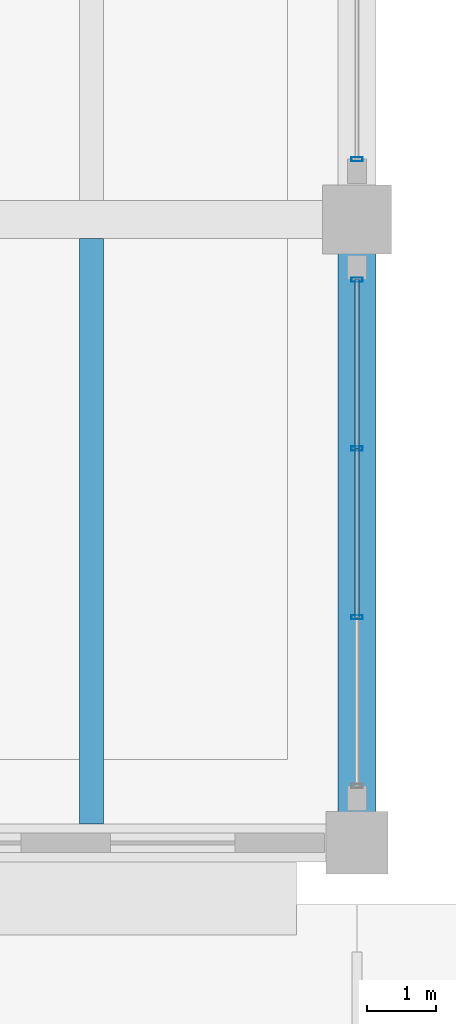
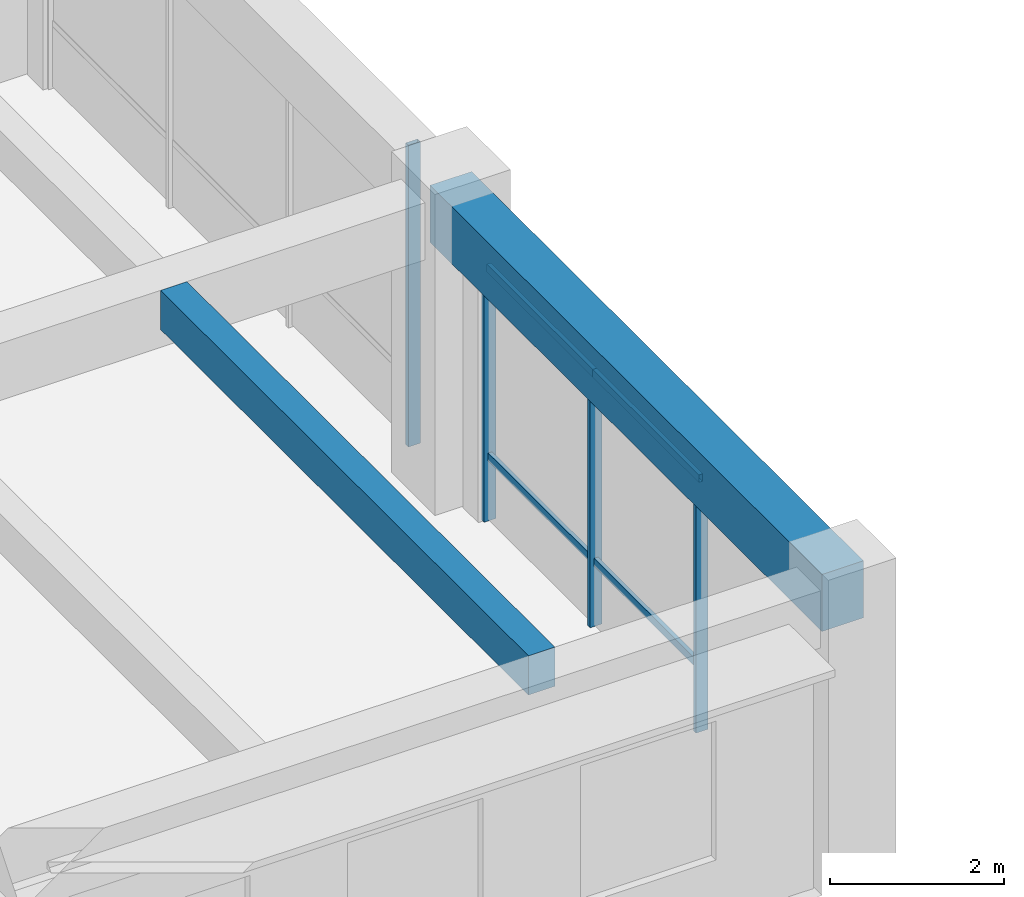
# One storey, part 79 of 154: 8 members, 2 beams, 2 elements without a shape of their own.
"""IFC4 building model written with IfcOpenShell, lengths in metres."""

import ifcopenshell
import ifcopenshell.guid

model = None  # the IFC model being written
_history = None  # IfcOwnerHistory: only IFC2X3 demands one
_inside = {}  # id of a spatial element -> (the spatial element, [elements in it])
_under = {}  # id of a project, library or spatial element -> (it, [spatial elements below it])
_declared = {}  # id of a project -> (the project, [libraries it declares])
_typed = {}  # id of a type object -> (the type object, [elements of that type])
_made_of = {}  # id of a material, layer set ... -> (it, [elements and type objects made of it])


def new_model(schema):
    """Start an empty IFC model of exactly this schema.

    Asked for "IFC4X3", IfcOpenShell would pick the latest addendum, in which some entities
    have other attributes; the version numbers below select the first issue.
    IFC2X3 requires an IfcOwnerHistory on every rooted entity: one is made here for all.
    """
    global model, _history
    if schema == "IFC4X3":
        model = ifcopenshell.file(schema_version=(4, 3, 0, 0))
    else:
        model = ifcopenshell.file(schema=schema)
    _inside.clear()
    _under.clear()
    _declared.clear()
    _typed.clear()
    _made_of.clear()
    _history = None
    if model.schema == "IFC2X3":
        org = make("IfcOrganization", Name="unknown")
        user = make(
            "IfcPersonAndOrganization",
            ThePerson=make("IfcPerson", FamilyName="unknown"),
            TheOrganization=org,
        )
        app = make(
            "IfcApplication",
            ApplicationDeveloper=org,
            Version="unknown",
            ApplicationFullName="unknown",
            ApplicationIdentifier="unknown",
        )
        _history = make(
            "IfcOwnerHistory",
            OwningUser=user,
            OwningApplication=app,
            ChangeAction="ADDED",
            CreationDate=0,
        )
    return model


def make(cls, **values):
    """One entity of the class cls with the attributes given. An attribute that is None is left unset."""
    return model.create_entity(
        cls, **{name: value for name, value in values.items() if value is not None}
    )


def rooted(cls, **values):
    """An entity with a GlobalId (a new one), such as an element, a storey or a relation."""
    return make(cls, GlobalId=ifcopenshell.guid.new(), OwnerHistory=_history, **values)


def si_unit(unit_type, name, prefix=None):
    """IfcSIUnit, for example si_unit("LENGTHUNIT", "METRE", prefix="MILLI")."""
    return make("IfcSIUnit", UnitType=unit_type, Prefix=prefix, Name=name)


def assignment(units):
    """IfcUnitAssignment: the units of a project."""
    return None if units is None else make("IfcUnitAssignment", Units=units)


def point(xyz):
    """IfcCartesianPoint."""
    return None if xyz is None else make("IfcCartesianPoint", Coordinates=xyz)


def direction(xyz):
    """IfcDirection."""
    return None if xyz is None else make("IfcDirection", DirectionRatios=xyz)


def frame(location, z_axis=None, x_axis=None):
    """IfcAxis2Placement3D, a coordinate frame: its origin and axes. An axis left out is left unset."""
    return make(
        "IfcAxis2Placement3D",
        Location=point(location),
        Axis=direction(z_axis),
        RefDirection=direction(x_axis),
    )


def frame_2d(location, x_axis=None):
    """IfcAxis2Placement2D, a coordinate frame in the plane: its origin and x axis."""
    return make(
        "IfcAxis2Placement2D", Location=point(location), RefDirection=direction(x_axis)
    )


def origin():
    """The frame at (0, 0, 0) with its axes left unset."""
    return frame((0.0, 0.0, 0.0))


def origin_2d():
    """The frame at (0, 0) in the plane with its x axis left unset."""
    return frame_2d((0.0, 0.0))


def place(relative_to, where):
    """IfcLocalPlacement: puts the frame where relative to a parent placement (None: the world)."""
    return make(
        "IfcLocalPlacement", PlacementRelTo=relative_to, RelativePlacement=where
    )


def context(
    kind, dimensions, precision=None, world=None, true_north=None, identifier=None
):
    """IfcGeometricRepresentationContext, for example the 3D "Model" context."""
    return make(
        "IfcGeometricRepresentationContext",
        ContextIdentifier=identifier,
        ContextType=kind,
        CoordinateSpaceDimension=dimensions,
        Precision=precision,
        WorldCoordinateSystem=world,
        TrueNorth=true_north,
    )


def subcontext(parent, identifier, kind, view, scale=None):
    """IfcGeometricRepresentationSubContext, for example "Body" below "Model"."""
    return make(
        "IfcGeometricRepresentationSubContext",
        ContextIdentifier=identifier,
        ContextType=kind,
        ParentContext=parent,
        TargetScale=scale,
        TargetView=view,
    )


def project(units=None, contexts=None):
    """IfcProject with its units and contexts."""
    return rooted(
        "IfcProject",
        Name="project",
        RepresentationContexts=contexts,
        UnitsInContext=assignment(units),
    )


def spatial(cls, under=None, at=None, **own):
    """A site, building, storey or space (cls), placed at a placement, below another one or the project."""
    s = rooted(cls, ObjectPlacement=at, **own)
    if under is not None:
        _under.setdefault(under.id(), (under, []))[1].append(s)
    return s


def profile(cls, at=None, kind="AREA", **sizes):
    """A parametric profile (cls). Its sizes go by their IFC names, for example OverallWidth=200.0."""
    return make(cls, ProfileType=kind, Position=at, **sizes)


def rectangle(**sizes):
    """IfcRectangleProfileDef."""
    return profile("IfcRectangleProfileDef", **sizes)


def hollow_rectangle(**sizes):
    """IfcRectangleHollowProfileDef."""
    return profile("IfcRectangleHollowProfileDef", **sizes)


def extrude(swept, where, along, depth):
    """IfcExtrudedAreaSolid: the profile swept, set in the frame where, extruded along a direction by depth."""
    return make(
        "IfcExtrudedAreaSolid",
        SweptArea=swept,
        Position=where,
        ExtrudedDirection=direction(along),
        Depth=depth,
    )


def shape(context_of_items, identifier, shape_type, items):
    """IfcShapeRepresentation: the items that make up one representation, for example the "Body"."""
    return make(
        "IfcShapeRepresentation",
        ContextOfItems=context_of_items,
        RepresentationIdentifier=identifier,
        RepresentationType=shape_type,
        Items=items,
    )


def material(Name=None, Category=None):
    """IfcMaterial."""
    return make("IfcMaterial", Name=Name, Category=Category)


def material_profile(
    of_material, cross_section, Name=None, Category=None, Priority=None
):
    """IfcMaterialProfile: a cross section and its material."""
    return make(
        "IfcMaterialProfile",
        Name=Name,
        Material=of_material,
        Profile=cross_section,
        Priority=Priority,
        Category=Category,
    )


def profile_set(profiles, Name=None, composite=None):
    """IfcMaterialProfileSet."""
    return make(
        "IfcMaterialProfileSet",
        Name=Name,
        MaterialProfiles=profiles,
        CompositeProfile=composite,
    )


def made_of(thing, what):
    """Note that an element or type object is made of a material, layer set ...; save() writes the relation."""
    if what is not None:
        _made_of.setdefault(what.id(), (what, []))[1].append(thing)
    return thing


def type_object(cls, material=None, **own):
    """A type object (cls), such as IfcWallType, which elements share."""
    return made_of(rooted(cls, **own), material)


def element(
    cls,
    number,
    at=None,
    inside=None,
    cuts=None,
    type_object=None,
    material=None,
    context=None,
    identifier="Body",
    shape_type=None,
    held_by="IfcProductDefinitionShape",
    body=None,
    shapes=None,
    **own,
):
    """One element of the class cls, such as IfcWall. Its Tag is "e" and its number.

    at: its placement. inside: the storey or other place that contains it. cuts: it is an
    opening in that element (IfcRelVoidsElement). A single representation is given by context,
    identifier, shape_type and body (its items); several are given by shapes. held_by: the class
    of the entity that holds the representations. save() writes the other relations.
    """
    e = rooted(cls, Tag="e%d" % number, ObjectPlacement=at, **own)
    if body is not None:
        shapes = [shape(context, identifier, shape_type, body)]
    if shapes is not None:
        e.Representation = make(held_by, Representations=shapes)
    if inside is not None:
        _inside.setdefault(inside.id(), (inside, []))[1].append(e)
    if cuts is not None:
        rooted(
            "IfcRelVoidsElement", RelatingBuildingElement=cuts, RelatedOpeningElement=e
        )
    if type_object is not None:
        _typed.setdefault(type_object.id(), (type_object, []))[1].append(e)
    return made_of(e, material)


def aggregate(whole, parts):
    """IfcRelAggregates: a whole, such as a stair, and the parts it consists of."""
    return rooted("IfcRelAggregates", RelatingObject=whole, RelatedObjects=parts)


def save(model, path):
    """Write the relations noted so far, then the file.

    IfcRelAggregates (storeys below a building ...), IfcRelContainedInSpatialStructure (elements
    in a storey), IfcRelDefinesByType, IfcRelAssociatesMaterial and IfcRelDeclares: one each for
    every whole, place, type object, material and project.
    """
    for whole, parts in _under.values():
        aggregate(whole, parts)
    for where, things in _inside.values():
        rooted(
            "IfcRelContainedInSpatialStructure",
            RelatedElements=things,
            RelatingStructure=where,
        )
    for kind, things in _typed.values():
        rooted("IfcRelDefinesByType", RelatedObjects=things, RelatingType=kind)
    for what, things in _made_of.values():
        rooted("IfcRelAssociatesMaterial", RelatedObjects=things, RelatingMaterial=what)
    for by, libraries in _declared.values():
        rooted("IfcRelDeclares", RelatingContext=by, RelatedDefinitions=libraries)
    model.write(path)


model = new_model("IFC4")

# Units and contexts
model_context = context("Model", 3, precision=1e-05, world=origin(), true_north=direction((0.0, 1.0)))
body_context = subcontext(model_context, "Body", "Model", "MODEL_VIEW")
ifc_project = project(units=[si_unit("LENGTHUNIT", "METRE"), si_unit("AREAUNIT", "SQUARE_METRE"), si_unit("VOLUMEUNIT", "CUBIC_METRE"), si_unit("PLANEANGLEUNIT", "RADIAN"), si_unit("MASSUNIT", "GRAM", prefix="KILO")], contexts=[model_context])

# Site, building, storey
site_placement = place(None, origin())
site = spatial("IfcSite", under=ifc_project, at=site_placement, CompositionType="ELEMENT")
building_placement = place(site_placement, origin())
building = spatial("IfcBuilding", under=site, at=building_placement, Name="Ologun Quay Terminus", CompositionType="ELEMENT")
storey_placement = place(building_placement, frame((0.0, 0.0, 13.800048828125)))
storey = spatial("IfcBuildingStorey", under=building, at=storey_placement, Name="L03", CompositionType="ELEMENT", Elevation=13.800048828125)

# Curtain wall, members
ifc_material_1 = material(Name="Aluminium 6063-T6", Category="aluminium")
curtain_wall_type = type_object("IfcCurtainWallType", Name="Rain-Garden West Courtyard Curtain Wall L03 8200x4150", PredefinedType="USERDEFINED", material=ifc_material_1)
curtain_wall_1_placement = place(storey_placement, origin())
curtain_wall_1 = element("IfcCurtainWall", 1, at=curtain_wall_1_placement, inside=storey, type_object=curtain_wall_type, Name="CW-16 Curtain Wall CW-L03-111", ObjectType="UNITISED CURTAIN WALL", PredefinedType="USERDEFINED")
ifc_material_2 = material(Name="Aluminium 6063-T6", Category="aluminium")
ifc_material_profile_1 = material_profile(ifc_material_2, hollow_rectangle(XDim=0.06005859375, YDim=0.159912109375, WallThickness=0.00390625, at=origin_2d()), Name="ALU 160x60x4")
ifc_profile_set_1 = profile_set([ifc_material_profile_1], Name="Aluminium 6063-T6")
member_type_1 = type_object("IfcMemberType", Name="Courtyard Screen Mullion 160x65", PredefinedType="MULLION", material=ifc_profile_set_1)
member_1_placement = place(storey_placement, frame((69.0, 89.056640625, 0.0), z_axis=(0.0, 0.0, 1.0), x_axis=(0.0, 1.0, 0.0)))
member_1 = element("IfcMember", 2, at=member_1_placement, type_object=member_type_1, Name="CW-L03-111 Mullion 2", PredefinedType="MULLION", context=body_context, shape_type="SweptSolid", body=[
    extrude(hollow_rectangle(XDim=0.06005859375, YDim=0.159912109375, WallThickness=0.00390625, at=origin_2d()), origin(), (0.0, 0.0, 1.0), 4.22998046875),
])
member_2_placement = place(storey_placement, frame((69.0, 91.493408203125, 0.0), z_axis=(0.0, 0.0, 1.0), x_axis=(0.0, 1.0, 0.0)))
member_2 = element("IfcMember", 3, at=member_2_placement, type_object=member_type_1, Name="CW-L03-111 Mullion 3", PredefinedType="MULLION", context=body_context, shape_type="SweptSolid", body=[
    extrude(hollow_rectangle(XDim=0.06005859375, YDim=0.159912109375, WallThickness=0.00390625, at=origin_2d()), origin(), (0.0, 0.0, 1.0), 4.22998046875),
])
member_3_placement = place(storey_placement, frame((69.0, 93.929931640625, 0.0), z_axis=(0.0, 0.0, 1.0), x_axis=(0.0, 1.0, 0.0)))
member_3 = element("IfcMember", 4, at=member_3_placement, type_object=member_type_1, Name="CW-L03-111 Mullion 4", PredefinedType="MULLION", context=body_context, shape_type="SweptSolid", body=[
    extrude(hollow_rectangle(XDim=0.06005859375, YDim=0.159912109375, WallThickness=0.00390625, at=origin_2d()), origin(), (0.0, 0.0, 1.0), 4.22998046875),
])

# Curtain wall, member
curtain_wall_2_placement = place(storey_placement, origin())
curtain_wall_2 = element("IfcCurtainWall", 5, at=curtain_wall_2_placement, inside=storey, type_object=curtain_wall_type, Name="CW-16 Curtain Wall CW-L03-112", ObjectType="UNITISED CURTAIN WALL", PredefinedType="USERDEFINED")
member_4_placement = place(storey_placement, frame((69.0, 95.669921875, 0.0), z_axis=(0.0, 0.0, 1.0), x_axis=(0.0, 1.0, 0.0)))
member_4 = element("IfcMember", 6, at=member_4_placement, type_object=member_type_1, Name="CW-L03-112 Mullion 1", PredefinedType="MULLION", context=body_context, shape_type="SweptSolid", body=[
    extrude(hollow_rectangle(XDim=0.06005859375, YDim=0.159912109375, WallThickness=0.00390625, at=origin_2d()), origin(), (0.0, 0.0, 1.0), 4.22998046875),
])
aggregate(curtain_wall_2, [member_4])

# Member
ifc_material_3 = material(Name="Aluminium 6063-T6", Category="aluminium")
ifc_material_profile_2 = material_profile(ifc_material_3, hollow_rectangle(XDim=0.054931640625, YDim=0.110107421875, WallThickness=0.00390625, at=origin_2d()), Name="ALU 110x55x4")
ifc_profile_set_2 = profile_set([ifc_material_profile_2], Name="Aluminium 6063-T6")
member_type_2 = type_object("IfcMemberType", Name="Courtyard Screen Transom 110x55", PredefinedType="USERDEFINED", material=ifc_profile_set_2)
member_5_placement = place(storey_placement, frame((69.0, 89.056640625, 0.89990234375), z_axis=(0.0, 1.0, 0.0), x_axis=(-1.0, 0.0, 0.0)))
member_5 = element("IfcMember", 7, at=member_5_placement, type_object=member_type_2, Name="CW-L03-111 Transom B2-1", ObjectType="TRANSOM", PredefinedType="USERDEFINED", context=body_context, shape_type="SweptSolid", body=[
    extrude(hollow_rectangle(XDim=0.054931640625, YDim=0.110107421875, WallThickness=0.00390625, at=origin_2d()), origin(), (0.0, 0.0, 1.0), 2.436767578125),
])

member_6_placement = place(storey_placement, frame((69.0, 89.056640625, 3.530029296875), z_axis=(0.0, 1.0, 0.0), x_axis=(-1.0, 0.0, 0.0)))
member_6 = element("IfcMember", 8, at=member_6_placement, type_object=member_type_2, Name="CW-L03-111 Transom B2-2", ObjectType="TRANSOM", PredefinedType="USERDEFINED", context=body_context, shape_type="SweptSolid", body=[
    extrude(hollow_rectangle(XDim=0.054931640625, YDim=0.110107421875, WallThickness=0.00390625, at=origin_2d()), origin(), (0.0, 0.0, 1.0), 2.436767578125),
])

member_7_placement = place(storey_placement, frame((69.0, 91.493408203125, 0.89990234375), z_axis=(0.0, 1.0, 0.0), x_axis=(-1.0, 0.0, 0.0)))
member_7 = element("IfcMember", 9, at=member_7_placement, type_object=member_type_2, Name="CW-L03-111 Transom B3-1", ObjectType="TRANSOM", PredefinedType="USERDEFINED", context=body_context, shape_type="SweptSolid", body=[
    extrude(hollow_rectangle(XDim=0.054931640625, YDim=0.110107421875, WallThickness=0.00390625, at=origin_2d()), origin(), (0.0, 0.0, 1.0), 2.4365234375),
])

member_8_placement = place(storey_placement, frame((69.0, 91.493408203125, 3.530029296875), z_axis=(0.0, 1.0, 0.0), x_axis=(-1.0, 0.0, 0.0)))
member_8 = element("IfcMember", 10, at=member_8_placement, type_object=member_type_2, Name="CW-L03-111 Transom B3-2", ObjectType="TRANSOM", PredefinedType="USERDEFINED", context=body_context, shape_type="SweptSolid", body=[
    extrude(hollow_rectangle(XDim=0.054931640625, YDim=0.110107421875, WallThickness=0.00390625, at=origin_2d()), origin(), (0.0, 0.0, 1.0), 2.4365234375),
])

aggregate(curtain_wall_1, [member_1, member_2, member_3, member_5, member_6, member_7, member_8])

# Beams
ifc_material_4 = material(Name="Concrete C40/50", Category="concrete")
ifc_material_profile_3 = material_profile(ifc_material_4, rectangle(XDim=0.550048828125, YDim=0.800048828125, at=origin_2d()), Name="RC 550x800")
ifc_profile_set_3 = profile_set([ifc_material_profile_3], Name="Concrete C40/50")
beam_type_1 = type_object("IfcBeamType", Name="Courtyard Wing Primary Girder 550x800", PredefinedType="BEAM", material=ifc_profile_set_3)
beam_1_placement = place(storey_placement, frame((69.0, 85.800048828125, 3.849853515625), z_axis=(0.0, 1.0, 0.0), x_axis=(-1.0, 0.0, 0.0)))
element("IfcBeam", 11, at=beam_1_placement, inside=storey, type_object=beam_type_1, Name="B4 Beam 7/G2 L03", PredefinedType="BEAM", context=body_context, shape_type="SweptSolid", body=[
    extrude(rectangle(XDim=0.550048828125, YDim=0.800048828125, at=origin_2d()), origin(), (0.0, 0.0, 1.0), 9.0),
])
ifc_material_5 = material(Name="Concrete C40/50", Category="concrete")
ifc_material_profile_4 = material_profile(ifc_material_5, rectangle(XDim=0.35009765625, YDim=0.550048828125, at=origin_2d()), Name="RC 350x550")
ifc_profile_set_4 = profile_set([ifc_material_profile_4], Name="Concrete C40/50")
beam_type_2 = type_object("IfcBeamType", Name="Courtyard Wing Secondary Joist 350x550", PredefinedType="JOIST", material=ifc_profile_set_4)
beam_2_placement = place(storey_placement, frame((65.166748046875, 86.074951171875, 3.974853515625), z_axis=(0.0, 1.0, 0.0), x_axis=(-1.0, 0.0, 0.0)))
element("IfcBeam", 12, at=beam_2_placement, inside=storey, type_object=beam_type_2, Name="J2 Beam 6/G2 L03", PredefinedType="JOIST", context=body_context, shape_type="SweptSolid", body=[
    extrude(rectangle(XDim=0.35009765625, YDim=0.550048828125, at=origin_2d()), origin(), (0.0, 0.0, 1.0), 8.449951171875),
])

save(model, "model.ifc")
